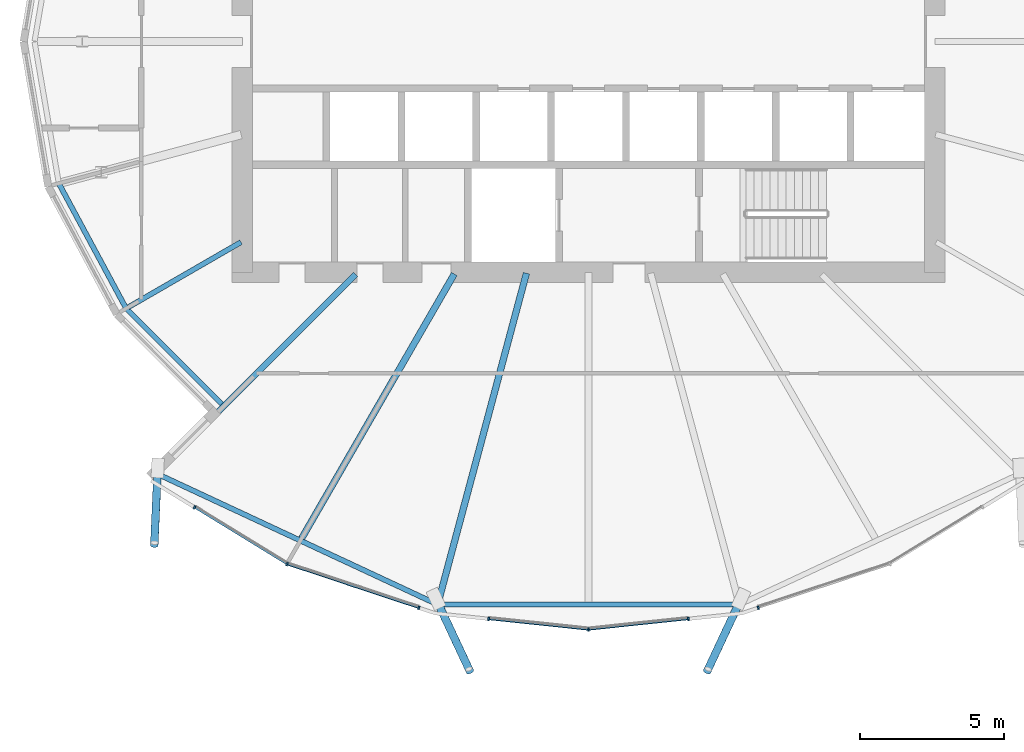
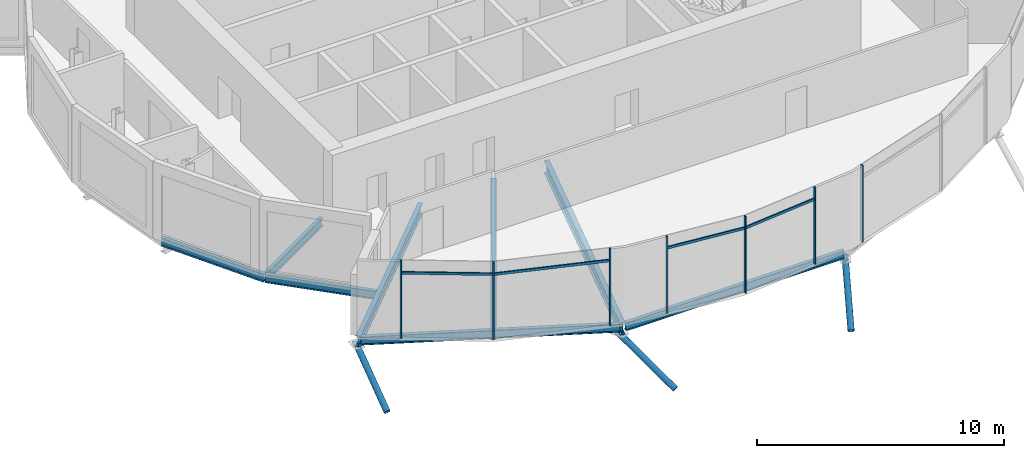
# One storey, part 3 of 39: 14 members, 8 beams, 1 element without a shape of its own.
"""IFC4 building model written with IfcOpenShell, lengths in metres."""

import ifcopenshell
import ifcopenshell.guid

model = None  # the IFC model being written
_history = None  # IfcOwnerHistory: only IFC2X3 demands one
_inside = {}  # id of a spatial element -> (the spatial element, [elements in it])
_under = {}  # id of a project, library or spatial element -> (it, [spatial elements below it])
_declared = {}  # id of a project -> (the project, [libraries it declares])
_typed = {}  # id of a type object -> (the type object, [elements of that type])
_made_of = {}  # id of a material, layer set ... -> (it, [elements and type objects made of it])


def new_model(schema):
    """Start an empty IFC model of exactly this schema.

    Asked for "IFC4X3", IfcOpenShell would pick the latest addendum, in which some entities
    have other attributes; the version numbers below select the first issue.
    IFC2X3 requires an IfcOwnerHistory on every rooted entity: one is made here for all.
    """
    global model, _history
    if schema == "IFC4X3":
        model = ifcopenshell.file(schema_version=(4, 3, 0, 0))
    else:
        model = ifcopenshell.file(schema=schema)
    _inside.clear()
    _under.clear()
    _declared.clear()
    _typed.clear()
    _made_of.clear()
    _history = None
    if model.schema == "IFC2X3":
        org = make("IfcOrganization", Name="unknown")
        user = make(
            "IfcPersonAndOrganization",
            ThePerson=make("IfcPerson", FamilyName="unknown"),
            TheOrganization=org,
        )
        app = make(
            "IfcApplication",
            ApplicationDeveloper=org,
            Version="unknown",
            ApplicationFullName="unknown",
            ApplicationIdentifier="unknown",
        )
        _history = make(
            "IfcOwnerHistory",
            OwningUser=user,
            OwningApplication=app,
            ChangeAction="ADDED",
            CreationDate=0,
        )
    return model


def make(cls, **values):
    """One entity of the class cls with the attributes given. An attribute that is None is left unset."""
    return model.create_entity(
        cls, **{name: value for name, value in values.items() if value is not None}
    )


def rooted(cls, **values):
    """An entity with a GlobalId (a new one), such as an element, a storey or a relation."""
    return make(cls, GlobalId=ifcopenshell.guid.new(), OwnerHistory=_history, **values)


def si_unit(unit_type, name, prefix=None):
    """IfcSIUnit, for example si_unit("LENGTHUNIT", "METRE", prefix="MILLI")."""
    return make("IfcSIUnit", UnitType=unit_type, Prefix=prefix, Name=name)


def assignment(units):
    """IfcUnitAssignment: the units of a project."""
    return None if units is None else make("IfcUnitAssignment", Units=units)


def point(xyz):
    """IfcCartesianPoint."""
    return None if xyz is None else make("IfcCartesianPoint", Coordinates=xyz)


def direction(xyz):
    """IfcDirection."""
    return None if xyz is None else make("IfcDirection", DirectionRatios=xyz)


def frame(location, z_axis=None, x_axis=None):
    """IfcAxis2Placement3D, a coordinate frame: its origin and axes. An axis left out is left unset."""
    return make(
        "IfcAxis2Placement3D",
        Location=point(location),
        Axis=direction(z_axis),
        RefDirection=direction(x_axis),
    )


def frame_2d(location, x_axis=None):
    """IfcAxis2Placement2D, a coordinate frame in the plane: its origin and x axis."""
    return make(
        "IfcAxis2Placement2D", Location=point(location), RefDirection=direction(x_axis)
    )


def origin():
    """The frame at (0, 0, 0) with its axes left unset."""
    return frame((0.0, 0.0, 0.0))


def origin_2d():
    """The frame at (0, 0) in the plane with its x axis left unset."""
    return frame_2d((0.0, 0.0))


def place(relative_to, where):
    """IfcLocalPlacement: puts the frame where relative to a parent placement (None: the world)."""
    return make(
        "IfcLocalPlacement", PlacementRelTo=relative_to, RelativePlacement=where
    )


def context(
    kind, dimensions, precision=None, world=None, true_north=None, identifier=None
):
    """IfcGeometricRepresentationContext, for example the 3D "Model" context."""
    return make(
        "IfcGeometricRepresentationContext",
        ContextIdentifier=identifier,
        ContextType=kind,
        CoordinateSpaceDimension=dimensions,
        Precision=precision,
        WorldCoordinateSystem=world,
        TrueNorth=true_north,
    )


def subcontext(parent, identifier, kind, view, scale=None):
    """IfcGeometricRepresentationSubContext, for example "Body" below "Model"."""
    return make(
        "IfcGeometricRepresentationSubContext",
        ContextIdentifier=identifier,
        ContextType=kind,
        ParentContext=parent,
        TargetScale=scale,
        TargetView=view,
    )


def project(units=None, contexts=None):
    """IfcProject with its units and contexts."""
    return rooted(
        "IfcProject",
        Name="project",
        RepresentationContexts=contexts,
        UnitsInContext=assignment(units),
    )


def spatial(cls, under=None, at=None, **own):
    """A site, building, storey or space (cls), placed at a placement, below another one or the project."""
    s = rooted(cls, ObjectPlacement=at, **own)
    if under is not None:
        _under.setdefault(under.id(), (under, []))[1].append(s)
    return s


def profile(cls, at=None, kind="AREA", **sizes):
    """A parametric profile (cls). Its sizes go by their IFC names, for example OverallWidth=200.0."""
    return make(cls, ProfileType=kind, Position=at, **sizes)


def rectangle(**sizes):
    """IfcRectangleProfileDef."""
    return profile("IfcRectangleProfileDef", **sizes)


def hollow_circle(**sizes):
    """IfcCircleHollowProfileDef."""
    return profile("IfcCircleHollowProfileDef", **sizes)


def i_section(**sizes):
    """IfcIShapeProfileDef."""
    return profile("IfcIShapeProfileDef", **sizes)


def extrude(swept, where, along, depth):
    """IfcExtrudedAreaSolid: the profile swept, set in the frame where, extruded along a direction by depth."""
    return make(
        "IfcExtrudedAreaSolid",
        SweptArea=swept,
        Position=where,
        ExtrudedDirection=direction(along),
        Depth=depth,
    )


def clip(a, b, op="DIFFERENCE"):
    """IfcBooleanClippingResult: the solid a cut by the half space b."""
    return make(
        "IfcBooleanClippingResult", Operator=op, FirstOperand=a, SecondOperand=b
    )


def halfspace(plane, agree):
    """IfcHalfSpaceSolid: all space on one side of the plane z = 0 of the frame plane."""
    return make(
        "IfcHalfSpaceSolid",
        BaseSurface=make("IfcPlane", Position=plane),
        AgreementFlag=agree,
    )


def shape(context_of_items, identifier, shape_type, items):
    """IfcShapeRepresentation: the items that make up one representation, for example the "Body"."""
    return make(
        "IfcShapeRepresentation",
        ContextOfItems=context_of_items,
        RepresentationIdentifier=identifier,
        RepresentationType=shape_type,
        Items=items,
    )


def material(Name=None, Category=None):
    """IfcMaterial."""
    return make("IfcMaterial", Name=Name, Category=Category)


def material_profile(
    of_material, cross_section, Name=None, Category=None, Priority=None
):
    """IfcMaterialProfile: a cross section and its material."""
    return make(
        "IfcMaterialProfile",
        Name=Name,
        Material=of_material,
        Profile=cross_section,
        Priority=Priority,
        Category=Category,
    )


def profile_set(profiles, Name=None, composite=None):
    """IfcMaterialProfileSet."""
    return make(
        "IfcMaterialProfileSet",
        Name=Name,
        MaterialProfiles=profiles,
        CompositeProfile=composite,
    )


def made_of(thing, what):
    """Note that an element or type object is made of a material, layer set ...; save() writes the relation."""
    if what is not None:
        _made_of.setdefault(what.id(), (what, []))[1].append(thing)
    return thing


def type_object(cls, material=None, **own):
    """A type object (cls), such as IfcWallType, which elements share."""
    return made_of(rooted(cls, **own), material)


def element(
    cls,
    number,
    at=None,
    inside=None,
    cuts=None,
    type_object=None,
    material=None,
    context=None,
    identifier="Body",
    shape_type=None,
    held_by="IfcProductDefinitionShape",
    body=None,
    shapes=None,
    **own,
):
    """One element of the class cls, such as IfcWall. Its Tag is "e" and its number.

    at: its placement. inside: the storey or other place that contains it. cuts: it is an
    opening in that element (IfcRelVoidsElement). A single representation is given by context,
    identifier, shape_type and body (its items); several are given by shapes. held_by: the class
    of the entity that holds the representations. save() writes the other relations.
    """
    e = rooted(cls, Tag="e%d" % number, ObjectPlacement=at, **own)
    if body is not None:
        shapes = [shape(context, identifier, shape_type, body)]
    if shapes is not None:
        e.Representation = make(held_by, Representations=shapes)
    if inside is not None:
        _inside.setdefault(inside.id(), (inside, []))[1].append(e)
    if cuts is not None:
        rooted(
            "IfcRelVoidsElement", RelatingBuildingElement=cuts, RelatedOpeningElement=e
        )
    if type_object is not None:
        _typed.setdefault(type_object.id(), (type_object, []))[1].append(e)
    return made_of(e, material)


def aggregate(whole, parts):
    """IfcRelAggregates: a whole, such as a stair, and the parts it consists of."""
    return rooted("IfcRelAggregates", RelatingObject=whole, RelatedObjects=parts)


def save(model, path):
    """Write the relations noted so far, then the file.

    IfcRelAggregates (storeys below a building ...), IfcRelContainedInSpatialStructure (elements
    in a storey), IfcRelDefinesByType, IfcRelAssociatesMaterial and IfcRelDeclares: one each for
    every whole, place, type object, material and project.
    """
    for whole, parts in _under.values():
        aggregate(whole, parts)
    for where, things in _inside.values():
        rooted(
            "IfcRelContainedInSpatialStructure",
            RelatedElements=things,
            RelatingStructure=where,
        )
    for kind, things in _typed.values():
        rooted("IfcRelDefinesByType", RelatedObjects=things, RelatingType=kind)
    for what, things in _made_of.values():
        rooted("IfcRelAssociatesMaterial", RelatedObjects=things, RelatingMaterial=what)
    for by, libraries in _declared.values():
        rooted("IfcRelDeclares", RelatingContext=by, RelatedDefinitions=libraries)
    model.write(path)


model = new_model("IFC4")

# Units and contexts
model_context = context("Model", 3, precision=1e-05, world=origin(), true_north=direction((0.0, 1.0)))
body_context = subcontext(model_context, "Body", "Model", "MODEL_VIEW")
ifc_project = project(units=[si_unit("LENGTHUNIT", "METRE"), si_unit("AREAUNIT", "SQUARE_METRE"), si_unit("VOLUMEUNIT", "CUBIC_METRE"), si_unit("PLANEANGLEUNIT", "RADIAN"), si_unit("MASSUNIT", "GRAM", prefix="KILO")], contexts=[model_context])

# Site, building, storey
site_placement = place(None, origin())
site = spatial("IfcSite", under=ifc_project, at=site_placement, CompositionType="ELEMENT")
building_placement = place(site_placement, origin())
building = spatial("IfcBuilding", under=site, at=building_placement, Name="Rimbun Link Towers", CompositionType="ELEMENT")
storey_placement = place(building_placement, frame((0.0, 0.0, 143.0)))
storey = spatial("IfcBuildingStorey", under=building, at=storey_placement, Name="L34", CompositionType="ELEMENT", Elevation=143.0)

# Curtain wall, members
ifc_material_1 = material(Name="Aluminium 6063-T6 and low-iron glass", Category="aluminium")
curtain_wall_type = type_object("IfcCurtainWallType", Name="CW4 link block wall", PredefinedType="NOTDEFINED", material=ifc_material_1)
curtain_wall_placement = place(storey_placement, origin())
curtain_wall = element("IfcCurtainWall", 1, at=curtain_wall_placement, inside=storey, type_object=curtain_wall_type, Name="CW4 L34 T1", PredefinedType="NOTDEFINED")
ifc_material_2 = material(Name="Aluminium 6063-T6", Category="aluminium")
ifc_material_profile_1 = material_profile(ifc_material_2, rectangle(XDim=0.1201171875, YDim=0.06005859375, at=origin_2d()), Name="MULLION 60X120")
ifc_profile_set_1 = profile_set([ifc_material_profile_1], Name="Aluminium 6063-T6")
member_type_1 = type_object("IfcMemberType", Name="CW4 mullion 60X120", PredefinedType="MULLION", material=ifc_profile_set_1)
member_1_placement = place(storey_placement, frame((-42.20068359375, -18.11181640625, 0.0), z_axis=(0.0, 0.0, 1.0), x_axis=(-0.421697332152, -0.906736654192, 0.0)))
member_1 = element("IfcMember", 2, at=member_1_placement, type_object=member_type_1, Name="CW4 mullion", PredefinedType="MULLION", context=body_context, shape_type="SweptSolid", body=[
    extrude(rectangle(XDim=0.1201171875, YDim=0.06005859375, at=origin_2d()), origin(), (0.0, 0.0, 1.0), 3.800048828125),
])
member_2_placement = place(storey_placement, frame((-45.401611328125, -16.147216796875, 0.0), z_axis=(0.0, 0.0, 1.0), x_axis=(-0.523225378089, -0.852194346217, 0.0)))
member_2 = element("IfcMember", 3, at=member_2_placement, type_object=member_type_1, Name="CW4 mullion", PredefinedType="MULLION", context=body_context, shape_type="SweptSolid", body=[
    extrude(rectangle(XDim=0.1201171875, YDim=0.06005859375, at=origin_2d()), origin(), (0.0, 0.0, 1.0), 3.800048828125),
])
member_3_placement = place(storey_placement, frame((-37.632568359375, -19.626220703125, 0.0), z_axis=(0.0, 0.0, 1.0), x_axis=(-0.314567961741, -0.949234953763, 0.0)))
member_3 = element("IfcMember", 4, at=member_3_placement, type_object=member_type_1, Name="CW4 mullion", PredefinedType="MULLION", context=body_context, shape_type="SweptSolid", body=[
    extrude(rectangle(XDim=0.1201171875, YDim=0.06005859375, at=origin_2d()), origin(), (0.0, 0.0, 1.0), 3.800048828125),
])
member_4_placement = place(storey_placement, frame((-31.75, -20.37548828125, 0.0), z_axis=(0.0, 0.0, 1.0), x_axis=(0.0, -1.0, 0.0)))
member_4 = element("IfcMember", 5, at=member_4_placement, type_object=member_type_1, Name="CW4 mullion", PredefinedType="MULLION", context=body_context, shape_type="SweptSolid", body=[
    extrude(rectangle(XDim=0.1201171875, YDim=0.06005859375, at=origin_2d()), origin(), (0.0, 0.0, 1.0), 3.800048828125),
])
member_5_placement = place(storey_placement, frame((-35.21044921875, -20.011474609375, 0.0), z_axis=(0.0, 0.0, 1.0), x_axis=(-0.104745411125, -0.994499069305, 0.0)))
member_5 = element("IfcMember", 6, at=member_5_placement, type_object=member_type_1, Name="CW4 mullion", PredefinedType="MULLION", context=body_context, shape_type="SweptSolid", body=[
    extrude(rectangle(XDim=0.1201171875, YDim=0.06005859375, at=origin_2d()), origin(), (0.0, 0.0, 1.0), 3.800048828125),
])
member_6_placement = place(storey_placement, frame((-28.28955078125, -20.011474609375, 0.0), z_axis=(0.0, 0.0, 1.0), x_axis=(0.104745411125, -0.994499069305, 0.0)))
member_6 = element("IfcMember", 7, at=member_6_placement, type_object=member_type_1, Name="CW4 mullion", PredefinedType="MULLION", context=body_context, shape_type="SweptSolid", body=[
    extrude(rectangle(XDim=0.1201171875, YDim=0.06005859375, at=origin_2d()), origin(), (0.0, 0.0, 1.0), 3.800048828125),
])
member_7_placement = place(storey_placement, frame((-25.867431640625, -19.626220703125, 0.0), z_axis=(0.0, 0.0, 1.0), x_axis=(0.314567961741, -0.949234953763, 0.0)))
member_7 = element("IfcMember", 8, at=member_7_placement, type_object=member_type_1, Name="CW4 mullion", PredefinedType="MULLION", context=body_context, shape_type="SweptSolid", body=[
    extrude(rectangle(XDim=0.1201171875, YDim=0.06005859375, at=origin_2d()), origin(), (0.0, 0.0, 1.0), 3.800048828125),
])
ifc_material_3 = material(Name="Aluminium 6063-T6", Category="aluminium")
ifc_material_profile_2 = material_profile(ifc_material_3, rectangle(XDim=0.06005859375, YDim=0.1201171875, at=origin_2d()), Name="TRANSOM 60X120")
ifc_profile_set_2 = profile_set([ifc_material_profile_2], Name="Aluminium 6063-T6")
member_type_2 = type_object("IfcMemberType", Name="CW4 transom 60X120", PredefinedType="USERDEFINED", material=ifc_profile_set_2)
member_8_placement = place(storey_placement, frame((-42.2314453125, -18.09130859375, 3.199951171875), z_axis=(-0.85218054514, 0.523247855691, 0.0), x_axis=(-0.523247855691, -0.85218054514, 0.0)))
member_8 = element("IfcMember", 9, at=member_8_placement, type_object=member_type_2, Name="CW4 transom", ObjectType="TRANSOM", PredefinedType="USERDEFINED", context=body_context, shape_type="SweptSolid", body=[
    extrude(rectangle(XDim=0.06005859375, YDim=0.1201171875, at=origin_2d()), origin(), (0.0, 0.0, 1.0), 3.688720703125),
])
member_9_placement = place(storey_placement, frame((-37.660400390625, -19.614990234375, 3.199951171875), z_axis=(-0.949232304469, 0.314575956093, 0.0), x_axis=(-0.314575956093, -0.949232304469, 0.0)))
member_9 = element("IfcMember", 10, at=member_9_placement, type_object=member_type_2, Name="CW4 transom", ObjectType="TRANSOM", PredefinedType="USERDEFINED", context=body_context, shape_type="SweptSolid", body=[
    extrude(rectangle(XDim=0.06005859375, YDim=0.1201171875, at=origin_2d()), origin(), (0.0, 0.0, 1.0), 4.745849609375),
])
member_10_placement = place(storey_placement, frame((-31.785888671875, -20.3701171875, 3.199951171875), z_axis=(-0.994502317074, 0.104714570785, 0.0), x_axis=(-0.104714570785, -0.994502317074, 0.0)))
member_10 = element("IfcMember", 11, at=member_10_placement, type_object=member_type_2, Name="CW4 transom", ObjectType="TRANSOM", PredefinedType="USERDEFINED", context=body_context, shape_type="SweptSolid", body=[
    extrude(rectangle(XDim=0.06005859375, YDim=0.1201171875, at=origin_2d()), origin(), (0.0, 0.0, 1.0), 3.413330078125),
])
member_11_placement = place(storey_placement, frame((-28.319580078125, -20.0126953125, 3.199951171875), z_axis=(-0.994502317074, -0.104714570785, 0.0), x_axis=(0.104714570785, -0.994502317074, 0.0)))
member_11 = element("IfcMember", 12, at=member_11_placement, type_object=member_type_2, Name="CW4 transom", ObjectType="TRANSOM", PredefinedType="USERDEFINED", context=body_context, shape_type="SweptSolid", body=[
    extrude(rectangle(XDim=0.06005859375, YDim=0.1201171875, at=origin_2d()), origin(), (0.0, 0.0, 1.0), 3.413330078125),
])
aggregate(curtain_wall, [member_1, member_2, member_3, member_4, member_5, member_6, member_7, member_8, member_9, member_10, member_11])

# Members
ifc_material_4 = material(Name="Steel S355J2H", Category="steel")
ifc_material_profile_3 = material_profile(ifc_material_4, hollow_circle(Radius=0.136474609375, WallThickness=0.012451171875, at=origin_2d()), Name="CHS 273x12.5")
ifc_profile_set_3 = profile_set([ifc_material_profile_3], Name="Steel S355J2H")
member_type_3 = type_object("IfcMemberType", Name="Floor edge link CHS 273x12.5", PredefinedType="BRACE", material=ifc_profile_set_3)
member_12_placement = place(storey_placement, frame((-46.68701171875, -14.93701171875, -0.8291015625), z_axis=(-0.038053761592, -0.849675566597, -0.525930929644), x_axis=(0.998998603204, -0.044741376793, 0.0)))
element("IfcMember", 13, at=member_12_placement, inside=storey, type_object=member_type_3, Name="Floor edge link T1 L34 15", PredefinedType="BRACE", context=body_context, shape_type="Clipping", body=[
    clip(extrude(hollow_circle(Radius=0.136474609375, WallThickness=0.012451171875, at=origin_2d()), frame((0.0, 0.0, -0.46044921875)), (0.0, 0.0, 1.0), 3.430908203125), halfspace(frame((0.0, 0.0, -0.216796875), z_axis=(0.0, 0.850527281893, -0.525930929644)), False)),
])
for number, where, z_axis, x_axis, name in (
    (14, (-36.9658203125, -19.465087890625, -0.900146484375), (0.365492149956, -0.780301202382, -0.507489430315), (0.905581122198, 0.424173114563, 0.0), "Floor edge link T1 L34 17"),
    (15, (-26.5341796875, -19.465087890625, -0.900146484375), (-0.365492149956, -0.780301202382, -0.507489430315), (0.905581122198, -0.424173114563, 0.0), "Floor edge link T1 L34 19"),
):
    element("IfcMember", number, at=place(storey_placement, frame(where, z_axis=z_axis, x_axis=x_axis)), inside=storey, type_object=member_type_3, Name=name, PredefinedType="BRACE", context=body_context, shape_type="Clipping", body=[
        clip(extrude(hollow_circle(Radius=0.136474609375, WallThickness=0.012451171875, at=origin_2d()), frame((0.0, 0.0, -0.483154296875)), (0.0, 0.0, 1.0), 3.517822265625), halfspace(frame((0.0, 0.0, -0.227783203125), z_axis=(0.0, 0.861657982101, -0.507489430315)), False)),
    ])

# Beams
ifc_material_5 = material(Name="Steel S355J2", Category="steel")
ifc_material_profile_4 = material_profile(ifc_material_5, i_section(OverallWidth=0.177978515625, OverallDepth=0.406494140625, WebThickness=0.0078125, FlangeThickness=0.0126953125, at=origin_2d()), Name="UB 406x178x60")
ifc_profile_set_4 = profile_set([ifc_material_profile_4], Name="Steel S355J2")
beam_type_1 = type_object("IfcBeamType", Name="UB 406x178x60", PredefinedType="BEAM", material=ifc_profile_set_4)
beam_1_placement = place(storey_placement, frame((-43.79541015625, -6.954345703125, -0.38330078125), z_axis=(-0.86601319904, -0.500021138641, 0.0), x_axis=(0.500021138641, -0.86601319904, 0.0)))
element("IfcBeam", 16, at=beam_1_placement, inside=storey, type_object=beam_type_1, Name="Radial beam T1 L34 14", PredefinedType="BEAM", context=body_context, shape_type="SweptSolid", body=[
    extrude(i_section(OverallWidth=0.177978515625, OverallDepth=0.406494140625, WebThickness=0.0078125, FlangeThickness=0.0126953125, at=origin_2d()), origin(), (0.0, 0.0, 1.0), 4.504638671875),
])
beam_2_placement = place(storey_placement, frame((-50.100341796875, -4.9326171875, -0.38330078125), z_axis=(0.474061129578, -0.880491933764, 0.0), x_axis=(0.880491933764, 0.474061129578, 0.0)))
element("IfcBeam", 17, at=beam_2_placement, inside=storey, type_object=beam_type_1, Name="Edge beam T1 L34 13 recess", PredefinedType="BEAM", context=body_context, shape_type="SweptSolid", body=[
    extrude(i_section(OverallWidth=0.177978515625, OverallDepth=0.406494140625, WebThickness=0.0078125, FlangeThickness=0.0126953125, at=origin_2d()), origin(), (0.0, 0.0, 1.0), 4.891357421875),
])
beam_3_placement = place(storey_placement, frame((-47.764892578125, -9.261962890625, -0.38330078125), z_axis=(0.707159064582, -0.707054493925, 0.0), x_axis=(0.707054493925, 0.707159064582, 0.0)))
element("IfcBeam", 18, at=beam_3_placement, inside=storey, type_object=beam_type_1, Name="Edge beam T1 L34 14 recess", PredefinedType="BEAM", context=body_context, shape_type="SweptSolid", body=[
    extrude(i_section(OverallWidth=0.177978515625, OverallDepth=0.406494140625, WebThickness=0.0078125, FlangeThickness=0.0126953125, at=origin_2d()), origin(), (0.0, 0.0, 1.0), 4.66943359375),
])
beam_4_placement = place(storey_placement, frame((-46.62060546875, -15.02001953125, -0.38330078125), z_axis=(0.906400585734, -0.422419197222, 0.0), x_axis=(0.422419197222, 0.906400585734, 0.0)))
element("IfcBeam", 19, at=beam_4_placement, inside=storey, type_object=beam_type_1, Name="Edge beam T1 L34 15-17", PredefinedType="BEAM", context=body_context, shape_type="SweptSolid", body=[
    extrude(i_section(OverallWidth=0.177978515625, OverallDepth=0.406494140625, WebThickness=0.0078125, FlangeThickness=0.0126953125, at=origin_2d()), origin(), (0.0, 0.0, 1.0), 10.521240234375),
])
beam_5_placement = place(storey_placement, frame((-36.85986328125, -19.513427734375, -0.38330078125), z_axis=(1.0, 0.0, 0.0), x_axis=(0.0, 1.0, 0.0)))
element("IfcBeam", 20, at=beam_5_placement, inside=storey, type_object=beam_type_1, Name="Edge beam T1 L34 17-19", PredefinedType="BEAM", context=body_context, shape_type="SweptSolid", body=[
    extrude(i_section(OverallWidth=0.177978515625, OverallDepth=0.406494140625, WebThickness=0.0078125, FlangeThickness=0.0126953125, at=origin_2d()), origin(), (0.0, 0.0, 1.0), 10.2197265625),
])
ifc_material_6 = material(Name="Steel S355J2", Category="steel")
ifc_material_profile_5 = material_profile(ifc_material_6, i_section(OverallWidth=0.209228515625, OverallDepth=0.533203125, WebThickness=0.010009765625, FlangeThickness=0.015625, at=origin_2d()), Name="UB 533x210x92")
ifc_profile_set_5 = profile_set([ifc_material_profile_5], Name="Steel S355J2")
beam_type_2 = type_object("IfcBeamType", Name="UB 533x210x92", PredefinedType="BEAM", material=ifc_profile_set_5)
beam_6_placement = place(storey_placement, frame((-39.82470703125, -8.07470703125, -0.446533203125), z_axis=(-0.707106781187, -0.707106781187, 0.0), x_axis=(0.707106781187, -0.707106781187, 0.0)))
element("IfcBeam", 21, at=beam_6_placement, inside=storey, type_object=beam_type_2, Name="Radial beam T1 L34 15", PredefinedType="BEAM", context=body_context, shape_type="SweptSolid", body=[
    extrude(i_section(OverallWidth=0.209228515625, OverallDepth=0.533203125, WebThickness=0.010009765625, FlangeThickness=0.015625, at=origin_2d()), origin(), (0.0, 0.0, 1.0), 9.7548828125),
])
ifc_material_7 = material(Name="Steel S355J2", Category="steel")
ifc_material_profile_6 = material_profile(ifc_material_7, i_section(OverallWidth=0.2275390625, OverallDepth=0.6025390625, WebThickness=0.010498046875, FlangeThickness=0.014892578125, at=origin_2d()), Name="UB 610x229x101")
ifc_profile_set_6 = profile_set([ifc_material_profile_6], Name="Steel S355J2")
beam_type_3 = type_object("IfcBeamType", Name="UB 610x229x101", PredefinedType="BEAM", material=ifc_profile_set_6)
beam_7_placement = place(storey_placement, frame((-36.402099609375, -8.057861328125, -0.481201171875), z_axis=(-0.500014158692, -0.866017229106, 0.0), x_axis=(0.866017229106, -0.500014158692, 0.0)))
element("IfcBeam", 22, at=beam_7_placement, inside=storey, type_object=beam_type_3, Name="Radial beam T1 L34 16", PredefinedType="BEAM", context=body_context, shape_type="SweptSolid", body=[
    extrude(i_section(OverallWidth=0.2275390625, OverallDepth=0.6025390625, WebThickness=0.010498046875, FlangeThickness=0.014892578125, at=origin_2d()), origin(), (0.0, 0.0, 1.0), 10.577392578125),
])
beam_8_placement = place(storey_placement, frame((-33.901611328125, -8.030517578125, -0.481201171875), z_axis=(-0.258824365794, -0.965924400598, 0.0), x_axis=(0.965924400598, -0.258824365794, 0.0)))
element("IfcBeam", 23, at=beam_8_placement, inside=storey, type_object=beam_type_3, Name="Radial beam T1 L34 17", PredefinedType="BEAM", context=body_context, shape_type="SweptSolid", body=[
    extrude(i_section(OverallWidth=0.2275390625, OverallDepth=0.6025390625, WebThickness=0.010498046875, FlangeThickness=0.014892578125, at=origin_2d()), origin(), (0.0, 0.0, 1.0), 11.887939453125),
])

save(model, "model.ifc")
